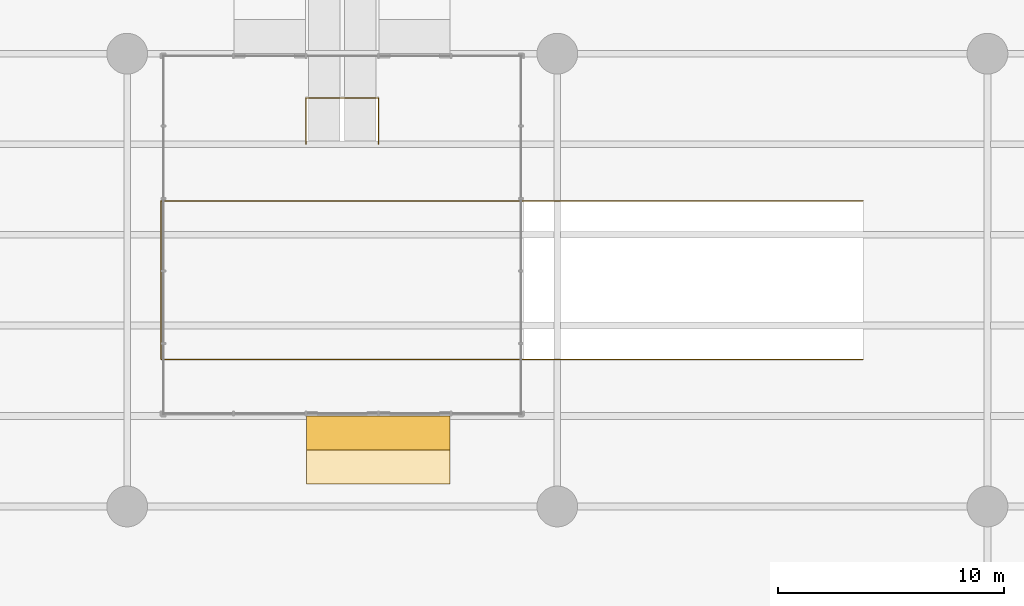
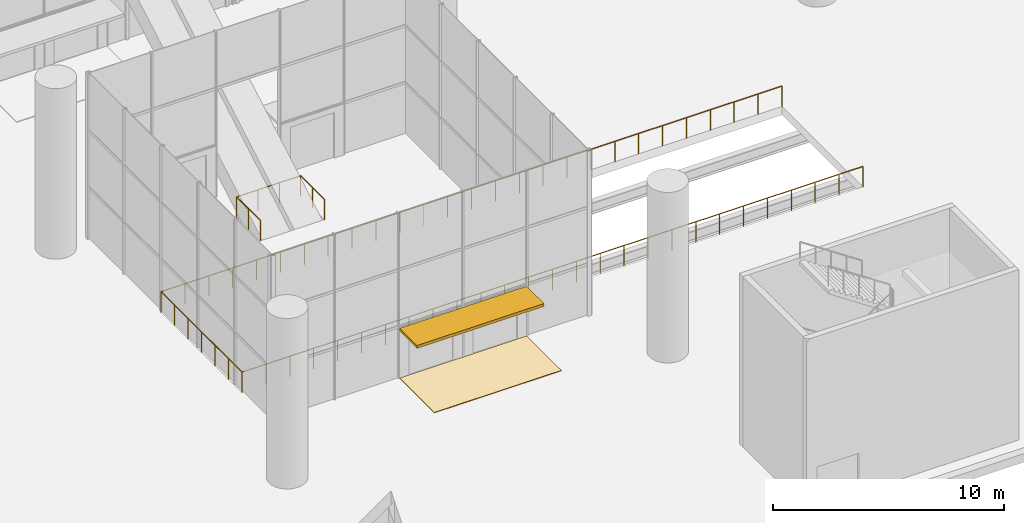
# One storey, part 29 of 37: 2 railings, 1 covering, 1 shading device.
"""IFC4 building model written with IfcOpenShell, lengths in metres."""

from ifc_helpers import new_model, si_unit, direction, frame, origin, origin_2d, place, context, subcontext, project, spatial, polyline, rectangle, circle, outline, extrude, material, layer, layer_set, type_object, element, save


model = new_model("IFC4")

# Units and contexts
model_context = context("Model", 3, precision=1e-05, world=origin(), true_north=direction((0.0, 1.0)))
body_context = subcontext(model_context, "Body", "Model", "MODEL_VIEW")
ifc_project = project(units=[si_unit("LENGTHUNIT", "METRE"), si_unit("AREAUNIT", "SQUARE_METRE"), si_unit("VOLUMEUNIT", "CUBIC_METRE"), si_unit("PLANEANGLEUNIT", "RADIAN"), si_unit("MASSUNIT", "GRAM", prefix="KILO")], contexts=[model_context])

# Site, building, storey
site_placement = place(None, origin())
site = spatial("IfcSite", under=ifc_project, at=site_placement, CompositionType="ELEMENT")
building_placement = place(site_placement, origin())
building = spatial("IfcBuilding", under=site, at=building_placement, Name="Tel Ilan Convention Tower", CompositionType="ELEMENT")
storey_placement = place(building_placement, origin())
storey = spatial("IfcBuildingStorey", under=building, at=storey_placement, Name="L00", CompositionType="ELEMENT", Elevation=0.0)

# Shading device
ifc_material_1 = material(Name="Aluminium composite, bronze anodised", Category="aluminium")
ifc_layer_1 = layer(ifc_material_1, 0.14990234375)
ifc_layer_set_1 = layer_set([ifc_layer_1], Name="ENTRANCE CANOPY 150")
shading_device_type = type_object("IfcShadingDeviceType", Name="ENTRANCE CANOPY 150", PredefinedType="AWNING", material=ifc_layer_set_1)
shading_device_placement = place(storey_placement, frame((1.60009765625, -64.75, 2.5), z_axis=(0.0, 0.0, 1.0), x_axis=(1.0, 0.0, 0.0)))
element("IfcShadingDevice", 1, at=shading_device_placement, inside=storey, type_object=shading_device_type, Name="Entrance canopy", PredefinedType="AWNING", context=body_context, shape_type="SweptSolid", body=[
    extrude(rectangle(XDim=6.340087890625, YDim=1.5, at=origin_2d()), origin(), (0.0, 0.0, 1.0), 0.14990234375),
])

# Covering
ifc_material_2 = material(Name="Flamed granite flooring, grey", Category="masonry")
ifc_layer_2 = layer(ifc_material_2, 0.030029296875)
ifc_layer_set_2 = layer_set([ifc_layer_2], Name="ENTRANCE STONE FLOORING 30")
covering_type = type_object("IfcCoveringType", Name="ENTRANCE STONE FLOORING 30", PredefinedType="FLOORING", material=ifc_layer_set_2)
covering_placement = place(storey_placement, origin())
element("IfcCovering", 2, at=covering_placement, inside=storey, type_object=covering_type, Name="Entrance flooring", PredefinedType="FLOORING", context=body_context, shape_type="SweptSolid", body=[
    extrude(outline(polyline([(-1.570068359375, -64.0), (4.77001953125, -64.0), (4.77001953125, -67.0), (-1.570068359375, -67.0), (-1.570068359375, -64.0)])), origin(), (0.0, 0.0, 1.0), 0.030029296875),
])

# Railings
ifc_material_3 = material(Name="Stainless Steel Grade 316", Category="steel")
railing_type_1 = type_object("IfcRailingType", Name="Stainless Steel Escalator Opening Guard 1100 mm", PredefinedType="GUARDRAIL", material=ifc_material_3)
railing_1_placement = place(storey_placement, frame((-1.60009765625, -52.0, 0.0)))
element("IfcRailing", 3, at=railing_1_placement, inside=storey, type_object=railing_type_1, Name="L00 escalator pit guard", PredefinedType="GUARDRAIL", context=body_context, shape_type="SweptSolid", body=[
    extrude(circle(Radius=0.02392578125, at=origin_2d()), frame((0.0, 0.0, 1.076171875), z_axis=(0.0, 1.0, 0.0), x_axis=(-1.0, 0.0, 0.0)), (0.0, 0.0, 1.0), 2.050048828125),
    extrude(circle(Radius=0.02392578125, at=origin_2d()), frame((0.0, 2.050048828125, 1.076171875), z_axis=(1.0, 0.0, 0.0), x_axis=(0.0, 1.0, 0.0)), (0.0, 0.0, 1.0), 3.2001953125),
    extrude(circle(Radius=0.02392578125, at=origin_2d()), frame((3.2001953125, 2.050048828125, 1.076171875), z_axis=(0.0, -1.0, 0.0), x_axis=(1.0, 0.0, 0.0)), (0.0, 0.0, 1.0), 2.050048828125),
    extrude(circle(Radius=0.02099609375, at=origin_2d()), origin(), (0.0, 0.0, 1.0), 1.052001953125),
    extrude(circle(Radius=0.02099609375, at=origin_2d()), frame((0.0, 1.02490234375, 0.0)), (0.0, 0.0, 1.0), 1.052001953125),
    extrude(circle(Radius=0.02099609375, at=origin_2d()), frame((0.0, 2.050048828125, 0.0)), (0.0, 0.0, 1.0), 1.052001953125),
    extrude(circle(Radius=0.02099609375, at=origin_2d()), frame((1.066650390625, 2.050048828125, 0.0)), (0.0, 0.0, 1.0), 1.052001953125),
    extrude(circle(Radius=0.02099609375, at=origin_2d()), frame((2.133544921875, 2.050048828125, 0.0)), (0.0, 0.0, 1.0), 1.052001953125),
    extrude(circle(Radius=0.02099609375, at=origin_2d()), frame((3.2001953125, 2.050048828125, 0.0)), (0.0, 0.0, 1.0), 1.052001953125),
    extrude(circle(Radius=0.02099609375, at=origin_2d()), frame((3.2001953125, 1.02490234375, 0.0)), (0.0, 0.0, 1.0), 1.052001953125),
    extrude(circle(Radius=0.02099609375, at=origin_2d()), frame((3.2001953125, 0.0, 0.0)), (0.0, 0.0, 1.0), 1.052001953125),
])
ifc_material_4 = material(Name="Stainless Steel Grade 316", Category="steel")
railing_type_2 = type_object("IfcRailingType", Name="Stainless Steel Ramp Guard 1100 mm", PredefinedType="GUARDRAIL", material=ifc_material_4)
railing_2_placement = place(storey_placement, frame((23.0, -61.5, 0.0)))
element("IfcRailing", 4, at=railing_2_placement, inside=storey, type_object=railing_type_2, Name="Car Park Ramp B1-L00 opening guard", PredefinedType="GUARDRAIL", context=body_context, shape_type="SweptSolid", body=[
    extrude(circle(Radius=0.02392578125, at=origin_2d()), frame((0.0, 0.0, 1.076171875), z_axis=(-1.0, 0.0, 0.0), x_axis=(0.0, -1.0, 0.0)), (0.0, 0.0, 1.0), 31.0),
    extrude(circle(Radius=0.02392578125, at=origin_2d()), frame((-31.0, 0.0, 1.076171875), z_axis=(0.0, 1.0, 0.0), x_axis=(-1.0, 0.0, 0.0)), (0.0, 0.0, 1.0), 7.0),
    extrude(circle(Radius=0.02392578125, at=origin_2d()), frame((-31.0, 7.0, 1.076171875), z_axis=(1.0, 0.0, 0.0), x_axis=(0.0, 1.0, 0.0)), (0.0, 0.0, 1.0), 31.0),
    extrude(circle(Radius=0.02099609375, at=origin_2d()), origin(), (0.0, 0.0, 1.0), 1.052001953125),
    extrude(circle(Radius=0.02099609375, at=origin_2d()), frame((-1.1923828125, 0.0, 0.0)), (0.0, 0.0, 1.0), 1.052001953125),
    extrude(circle(Radius=0.02099609375, at=origin_2d()), frame((-2.384521484375, 0.0, 0.0)), (0.0, 0.0, 1.0), 1.052001953125),
    extrude(circle(Radius=0.02099609375, at=origin_2d()), frame((-3.576904296875, 0.0, 0.0)), (0.0, 0.0, 1.0), 1.052001953125),
    extrude(circle(Radius=0.02099609375, at=origin_2d()), frame((-4.769287109375, 0.0, 0.0)), (0.0, 0.0, 1.0), 1.052001953125),
    extrude(circle(Radius=0.02099609375, at=origin_2d()), frame((-5.96142578125, 0.0, 0.0)), (0.0, 0.0, 1.0), 1.052001953125),
    extrude(circle(Radius=0.02099609375, at=origin_2d()), frame((-7.15380859375, 0.0, 0.0)), (0.0, 0.0, 1.0), 1.052001953125),
    extrude(circle(Radius=0.02099609375, at=origin_2d()), frame((-8.34619140625, 0.0, 0.0)), (0.0, 0.0, 1.0), 1.052001953125),
    extrude(circle(Radius=0.02099609375, at=origin_2d()), frame((-9.53857421875, 0.0, 0.0)), (0.0, 0.0, 1.0), 1.052001953125),
    extrude(circle(Radius=0.02099609375, at=origin_2d()), frame((-10.730712890625, 0.0, 0.0)), (0.0, 0.0, 1.0), 1.052001953125),
    extrude(circle(Radius=0.02099609375, at=origin_2d()), frame((-11.923095703125, 0.0, 0.0)), (0.0, 0.0, 1.0), 1.052001953125),
    extrude(circle(Radius=0.02099609375, at=origin_2d()), frame((-13.115478515625, 0.0, 0.0)), (0.0, 0.0, 1.0), 1.052001953125),
    extrude(circle(Radius=0.02099609375, at=origin_2d()), frame((-14.3076171875, 0.0, 0.0)), (0.0, 0.0, 1.0), 1.052001953125),
    extrude(circle(Radius=0.02099609375, at=origin_2d()), frame((-15.5, 0.0, 0.0)), (0.0, 0.0, 1.0), 1.052001953125),
    extrude(circle(Radius=0.02099609375, at=origin_2d()), frame((-16.6923828125, 0.0, 0.0)), (0.0, 0.0, 1.0), 1.052001953125),
    extrude(circle(Radius=0.02099609375, at=origin_2d()), frame((-17.884521484375, 0.0, 0.0)), (0.0, 0.0, 1.0), 1.052001953125),
    extrude(circle(Radius=0.02099609375, at=origin_2d()), frame((-19.076904296875, 0.0, 0.0)), (0.0, 0.0, 1.0), 1.052001953125),
    extrude(circle(Radius=0.02099609375, at=origin_2d()), frame((-20.269287109375, 0.0, 0.0)), (0.0, 0.0, 1.0), 1.052001953125),
    extrude(circle(Radius=0.02099609375, at=origin_2d()), frame((-21.46142578125, 0.0, 0.0)), (0.0, 0.0, 1.0), 1.052001953125),
    extrude(circle(Radius=0.02099609375, at=origin_2d()), frame((-22.65380859375, 0.0, 0.0)), (0.0, 0.0, 1.0), 1.052001953125),
    extrude(circle(Radius=0.02099609375, at=origin_2d()), frame((-23.84619140625, 0.0, 0.0)), (0.0, 0.0, 1.0), 1.052001953125),
    extrude(circle(Radius=0.02099609375, at=origin_2d()), frame((-25.03857421875, 0.0, 0.0)), (0.0, 0.0, 1.0), 1.052001953125),
    extrude(circle(Radius=0.02099609375, at=origin_2d()), frame((-26.230712890625, 0.0, 0.0)), (0.0, 0.0, 1.0), 1.052001953125),
    extrude(circle(Radius=0.02099609375, at=origin_2d()), frame((-27.423095703125, 0.0, 0.0)), (0.0, 0.0, 1.0), 1.052001953125),
    extrude(circle(Radius=0.02099609375, at=origin_2d()), frame((-28.615478515625, 0.0, 0.0)), (0.0, 0.0, 1.0), 1.052001953125),
    extrude(circle(Radius=0.02099609375, at=origin_2d()), frame((-29.8076171875, 0.0, 0.0)), (0.0, 0.0, 1.0), 1.052001953125),
    extrude(circle(Radius=0.02099609375, at=origin_2d()), frame((-31.0, 0.0, 0.0)), (0.0, 0.0, 1.0), 1.052001953125),
    extrude(circle(Radius=0.02099609375, at=origin_2d()), frame((-31.0, 1.166748046875, 0.0)), (0.0, 0.0, 1.0), 1.052001953125),
    extrude(circle(Radius=0.02099609375, at=origin_2d()), frame((-31.0, 2.333251953125, 0.0)), (0.0, 0.0, 1.0), 1.052001953125),
    extrude(circle(Radius=0.02099609375, at=origin_2d()), frame((-31.0, 3.5, 0.0)), (0.0, 0.0, 1.0), 1.052001953125),
    extrude(circle(Radius=0.02099609375, at=origin_2d()), frame((-31.0, 4.666748046875, 0.0)), (0.0, 0.0, 1.0), 1.052001953125),
    extrude(circle(Radius=0.02099609375, at=origin_2d()), frame((-31.0, 5.833251953125, 0.0)), (0.0, 0.0, 1.0), 1.052001953125),
    extrude(circle(Radius=0.02099609375, at=origin_2d()), frame((-31.0, 7.0, 0.0)), (0.0, 0.0, 1.0), 1.052001953125),
    extrude(circle(Radius=0.02099609375, at=origin_2d()), frame((-29.8076171875, 7.0, 0.0)), (0.0, 0.0, 1.0), 1.052001953125),
    extrude(circle(Radius=0.02099609375, at=origin_2d()), frame((-28.615478515625, 7.0, 0.0)), (0.0, 0.0, 1.0), 1.052001953125),
    extrude(circle(Radius=0.02099609375, at=origin_2d()), frame((-27.423095703125, 7.0, 0.0)), (0.0, 0.0, 1.0), 1.052001953125),
    extrude(circle(Radius=0.02099609375, at=origin_2d()), frame((-26.230712890625, 7.0, 0.0)), (0.0, 0.0, 1.0), 1.052001953125),
    extrude(circle(Radius=0.02099609375, at=origin_2d()), frame((-25.03857421875, 7.0, 0.0)), (0.0, 0.0, 1.0), 1.052001953125),
    extrude(circle(Radius=0.02099609375, at=origin_2d()), frame((-23.84619140625, 7.0, 0.0)), (0.0, 0.0, 1.0), 1.052001953125),
    extrude(circle(Radius=0.02099609375, at=origin_2d()), frame((-22.65380859375, 7.0, 0.0)), (0.0, 0.0, 1.0), 1.052001953125),
    extrude(circle(Radius=0.02099609375, at=origin_2d()), frame((-21.46142578125, 7.0, 0.0)), (0.0, 0.0, 1.0), 1.052001953125),
    extrude(circle(Radius=0.02099609375, at=origin_2d()), frame((-20.269287109375, 7.0, 0.0)), (0.0, 0.0, 1.0), 1.052001953125),
    extrude(circle(Radius=0.02099609375, at=origin_2d()), frame((-19.076904296875, 7.0, 0.0)), (0.0, 0.0, 1.0), 1.052001953125),
    extrude(circle(Radius=0.02099609375, at=origin_2d()), frame((-17.884521484375, 7.0, 0.0)), (0.0, 0.0, 1.0), 1.052001953125),
    extrude(circle(Radius=0.02099609375, at=origin_2d()), frame((-16.6923828125, 7.0, 0.0)), (0.0, 0.0, 1.0), 1.052001953125),
    extrude(circle(Radius=0.02099609375, at=origin_2d()), frame((-15.5, 7.0, 0.0)), (0.0, 0.0, 1.0), 1.052001953125),
    extrude(circle(Radius=0.02099609375, at=origin_2d()), frame((-14.3076171875, 7.0, 0.0)), (0.0, 0.0, 1.0), 1.052001953125),
    extrude(circle(Radius=0.02099609375, at=origin_2d()), frame((-13.115478515625, 7.0, 0.0)), (0.0, 0.0, 1.0), 1.052001953125),
    extrude(circle(Radius=0.02099609375, at=origin_2d()), frame((-11.923095703125, 7.0, 0.0)), (0.0, 0.0, 1.0), 1.052001953125),
    extrude(circle(Radius=0.02099609375, at=origin_2d()), frame((-10.730712890625, 7.0, 0.0)), (0.0, 0.0, 1.0), 1.052001953125),
    extrude(circle(Radius=0.02099609375, at=origin_2d()), frame((-9.53857421875, 7.0, 0.0)), (0.0, 0.0, 1.0), 1.052001953125),
    extrude(circle(Radius=0.02099609375, at=origin_2d()), frame((-8.34619140625, 7.0, 0.0)), (0.0, 0.0, 1.0), 1.052001953125),
    extrude(circle(Radius=0.02099609375, at=origin_2d()), frame((-7.15380859375, 7.0, 0.0)), (0.0, 0.0, 1.0), 1.052001953125),
    extrude(circle(Radius=0.02099609375, at=origin_2d()), frame((-5.96142578125, 7.0, 0.0)), (0.0, 0.0, 1.0), 1.052001953125),
    extrude(circle(Radius=0.02099609375, at=origin_2d()), frame((-4.769287109375, 7.0, 0.0)), (0.0, 0.0, 1.0), 1.052001953125),
    extrude(circle(Radius=0.02099609375, at=origin_2d()), frame((-3.576904296875, 7.0, 0.0)), (0.0, 0.0, 1.0), 1.052001953125),
    extrude(circle(Radius=0.02099609375, at=origin_2d()), frame((-2.384521484375, 7.0, 0.0)), (0.0, 0.0, 1.0), 1.052001953125),
    extrude(circle(Radius=0.02099609375, at=origin_2d()), frame((-1.1923828125, 7.0, 0.0)), (0.0, 0.0, 1.0), 1.052001953125),
    extrude(circle(Radius=0.02099609375, at=origin_2d()), frame((0.0, 7.0, 0.0)), (0.0, 0.0, 1.0), 1.052001953125),
])

save(model, "model.ifc")
